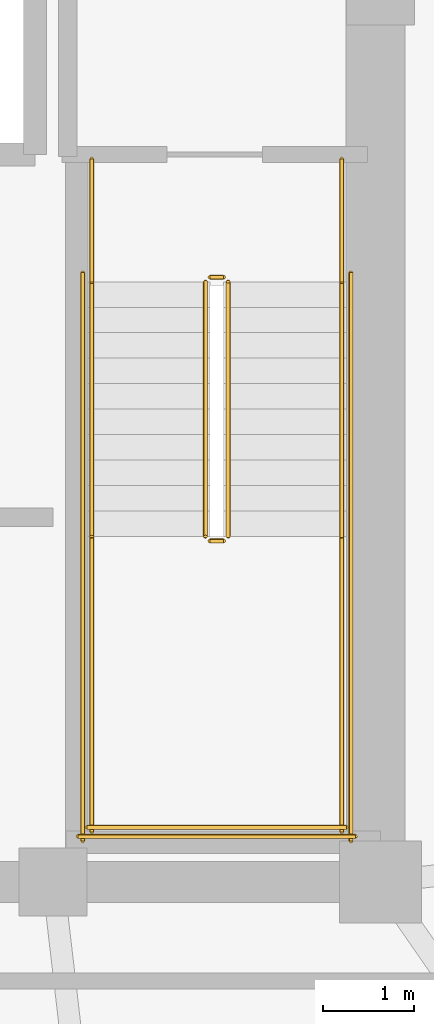
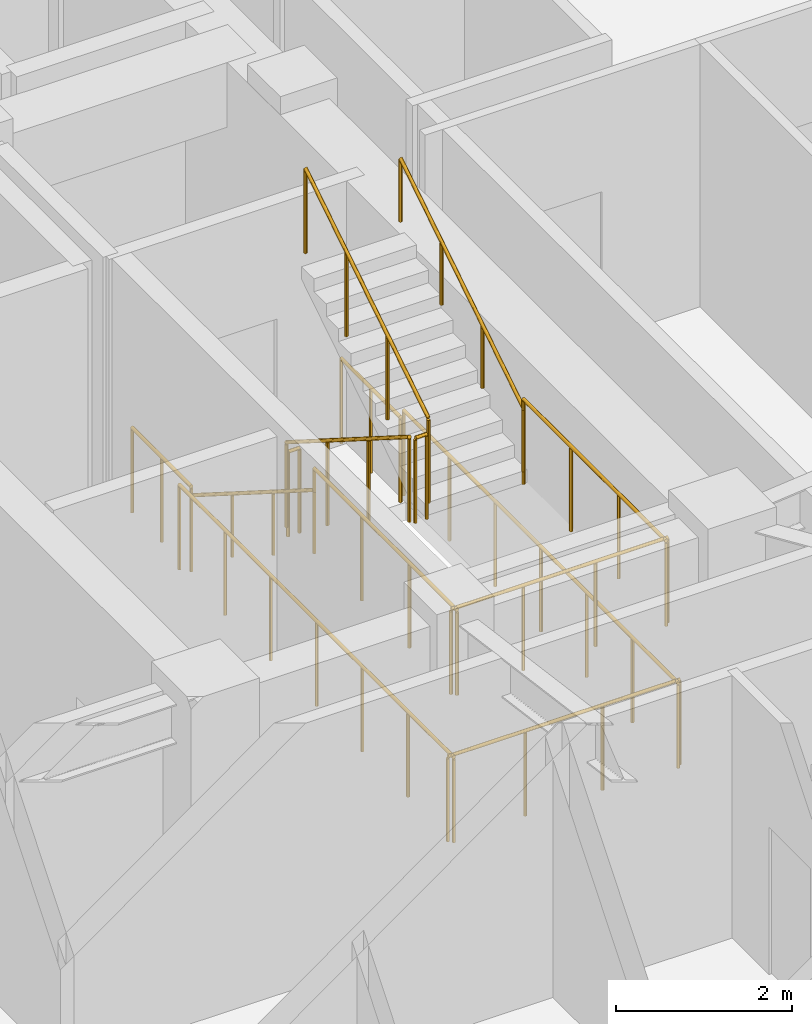
# One storey, part 11 of 11: 14 railings.
"""IFC4 building model written with IfcOpenShell, lengths in metres."""

import ifcopenshell
import ifcopenshell.guid

model = None  # the IFC model being written
_history = None  # IfcOwnerHistory: only IFC2X3 demands one
_inside = {}  # id of a spatial element -> (the spatial element, [elements in it])
_under = {}  # id of a project, library or spatial element -> (it, [spatial elements below it])
_declared = {}  # id of a project -> (the project, [libraries it declares])
_typed = {}  # id of a type object -> (the type object, [elements of that type])
_made_of = {}  # id of a material, layer set ... -> (it, [elements and type objects made of it])


def new_model(schema):
    """Start an empty IFC model of exactly this schema.

    Asked for "IFC4X3", IfcOpenShell would pick the latest addendum, in which some entities
    have other attributes; the version numbers below select the first issue.
    IFC2X3 requires an IfcOwnerHistory on every rooted entity: one is made here for all.
    """
    global model, _history
    if schema == "IFC4X3":
        model = ifcopenshell.file(schema_version=(4, 3, 0, 0))
    else:
        model = ifcopenshell.file(schema=schema)
    _inside.clear()
    _under.clear()
    _declared.clear()
    _typed.clear()
    _made_of.clear()
    _history = None
    if model.schema == "IFC2X3":
        org = make("IfcOrganization", Name="unknown")
        user = make(
            "IfcPersonAndOrganization",
            ThePerson=make("IfcPerson", FamilyName="unknown"),
            TheOrganization=org,
        )
        app = make(
            "IfcApplication",
            ApplicationDeveloper=org,
            Version="unknown",
            ApplicationFullName="unknown",
            ApplicationIdentifier="unknown",
        )
        _history = make(
            "IfcOwnerHistory",
            OwningUser=user,
            OwningApplication=app,
            ChangeAction="ADDED",
            CreationDate=0,
        )
    return model


def make(cls, **values):
    """One entity of the class cls with the attributes given. An attribute that is None is left unset."""
    return model.create_entity(
        cls, **{name: value for name, value in values.items() if value is not None}
    )


def rooted(cls, **values):
    """An entity with a GlobalId (a new one), such as an element, a storey or a relation."""
    return make(cls, GlobalId=ifcopenshell.guid.new(), OwnerHistory=_history, **values)


def si_unit(unit_type, name, prefix=None):
    """IfcSIUnit, for example si_unit("LENGTHUNIT", "METRE", prefix="MILLI")."""
    return make("IfcSIUnit", UnitType=unit_type, Prefix=prefix, Name=name)


def assignment(units):
    """IfcUnitAssignment: the units of a project."""
    return None if units is None else make("IfcUnitAssignment", Units=units)


def point(xyz):
    """IfcCartesianPoint."""
    return None if xyz is None else make("IfcCartesianPoint", Coordinates=xyz)


def direction(xyz):
    """IfcDirection."""
    return None if xyz is None else make("IfcDirection", DirectionRatios=xyz)


def frame(location, z_axis=None, x_axis=None):
    """IfcAxis2Placement3D, a coordinate frame: its origin and axes. An axis left out is left unset."""
    return make(
        "IfcAxis2Placement3D",
        Location=point(location),
        Axis=direction(z_axis),
        RefDirection=direction(x_axis),
    )


def frame_2d(location, x_axis=None):
    """IfcAxis2Placement2D, a coordinate frame in the plane: its origin and x axis."""
    return make(
        "IfcAxis2Placement2D", Location=point(location), RefDirection=direction(x_axis)
    )


def origin():
    """The frame at (0, 0, 0) with its axes left unset."""
    return frame((0.0, 0.0, 0.0))


def origin_2d():
    """The frame at (0, 0) in the plane with its x axis left unset."""
    return frame_2d((0.0, 0.0))


def place(relative_to, where):
    """IfcLocalPlacement: puts the frame where relative to a parent placement (None: the world)."""
    return make(
        "IfcLocalPlacement", PlacementRelTo=relative_to, RelativePlacement=where
    )


def context(
    kind, dimensions, precision=None, world=None, true_north=None, identifier=None
):
    """IfcGeometricRepresentationContext, for example the 3D "Model" context."""
    return make(
        "IfcGeometricRepresentationContext",
        ContextIdentifier=identifier,
        ContextType=kind,
        CoordinateSpaceDimension=dimensions,
        Precision=precision,
        WorldCoordinateSystem=world,
        TrueNorth=true_north,
    )


def subcontext(parent, identifier, kind, view, scale=None):
    """IfcGeometricRepresentationSubContext, for example "Body" below "Model"."""
    return make(
        "IfcGeometricRepresentationSubContext",
        ContextIdentifier=identifier,
        ContextType=kind,
        ParentContext=parent,
        TargetScale=scale,
        TargetView=view,
    )


def project(units=None, contexts=None):
    """IfcProject with its units and contexts."""
    return rooted(
        "IfcProject",
        Name="project",
        RepresentationContexts=contexts,
        UnitsInContext=assignment(units),
    )


def spatial(cls, under=None, at=None, **own):
    """A site, building, storey or space (cls), placed at a placement, below another one or the project."""
    s = rooted(cls, ObjectPlacement=at, **own)
    if under is not None:
        _under.setdefault(under.id(), (under, []))[1].append(s)
    return s


def profile(cls, at=None, kind="AREA", **sizes):
    """A parametric profile (cls). Its sizes go by their IFC names, for example OverallWidth=200.0."""
    return make(cls, ProfileType=kind, Position=at, **sizes)


def circle(**sizes):
    """IfcCircleProfileDef."""
    return profile("IfcCircleProfileDef", **sizes)


def extrude(swept, where, along, depth):
    """IfcExtrudedAreaSolid: the profile swept, set in the frame where, extruded along a direction by depth."""
    return make(
        "IfcExtrudedAreaSolid",
        SweptArea=swept,
        Position=where,
        ExtrudedDirection=direction(along),
        Depth=depth,
    )


def shape(context_of_items, identifier, shape_type, items):
    """IfcShapeRepresentation: the items that make up one representation, for example the "Body"."""
    return make(
        "IfcShapeRepresentation",
        ContextOfItems=context_of_items,
        RepresentationIdentifier=identifier,
        RepresentationType=shape_type,
        Items=items,
    )


def material(Name=None, Category=None):
    """IfcMaterial."""
    return make("IfcMaterial", Name=Name, Category=Category)


def made_of(thing, what):
    """Note that an element or type object is made of a material, layer set ...; save() writes the relation."""
    if what is not None:
        _made_of.setdefault(what.id(), (what, []))[1].append(thing)
    return thing


def type_object(cls, material=None, **own):
    """A type object (cls), such as IfcWallType, which elements share."""
    return made_of(rooted(cls, **own), material)


def element(
    cls,
    number,
    at=None,
    inside=None,
    cuts=None,
    type_object=None,
    material=None,
    context=None,
    identifier="Body",
    shape_type=None,
    held_by="IfcProductDefinitionShape",
    body=None,
    shapes=None,
    **own,
):
    """One element of the class cls, such as IfcWall. Its Tag is "e" and its number.

    at: its placement. inside: the storey or other place that contains it. cuts: it is an
    opening in that element (IfcRelVoidsElement). A single representation is given by context,
    identifier, shape_type and body (its items); several are given by shapes. held_by: the class
    of the entity that holds the representations. save() writes the other relations.
    """
    e = rooted(cls, Tag="e%d" % number, ObjectPlacement=at, **own)
    if body is not None:
        shapes = [shape(context, identifier, shape_type, body)]
    if shapes is not None:
        e.Representation = make(held_by, Representations=shapes)
    if inside is not None:
        _inside.setdefault(inside.id(), (inside, []))[1].append(e)
    if cuts is not None:
        rooted(
            "IfcRelVoidsElement", RelatingBuildingElement=cuts, RelatedOpeningElement=e
        )
    if type_object is not None:
        _typed.setdefault(type_object.id(), (type_object, []))[1].append(e)
    return made_of(e, material)


def aggregate(whole, parts):
    """IfcRelAggregates: a whole, such as a stair, and the parts it consists of."""
    return rooted("IfcRelAggregates", RelatingObject=whole, RelatedObjects=parts)


def save(model, path):
    """Write the relations noted so far, then the file.

    IfcRelAggregates (storeys below a building ...), IfcRelContainedInSpatialStructure (elements
    in a storey), IfcRelDefinesByType, IfcRelAssociatesMaterial and IfcRelDeclares: one each for
    every whole, place, type object, material and project.
    """
    for whole, parts in _under.values():
        aggregate(whole, parts)
    for where, things in _inside.values():
        rooted(
            "IfcRelContainedInSpatialStructure",
            RelatedElements=things,
            RelatingStructure=where,
        )
    for kind, things in _typed.values():
        rooted("IfcRelDefinesByType", RelatedObjects=things, RelatingType=kind)
    for what, things in _made_of.values():
        rooted("IfcRelAssociatesMaterial", RelatedObjects=things, RelatingMaterial=what)
    for by, libraries in _declared.values():
        rooted("IfcRelDeclares", RelatingContext=by, RelatedDefinitions=libraries)
    model.write(path)


model = new_model("IFC4")

# Units and contexts
model_context = context("Model", 3, precision=1e-05, world=origin(), true_north=direction((0.0, 1.0)))
body_context = subcontext(model_context, "Body", "Model", "MODEL_VIEW")
ifc_project = project(units=[si_unit("LENGTHUNIT", "METRE"), si_unit("AREAUNIT", "SQUARE_METRE"), si_unit("VOLUMEUNIT", "CUBIC_METRE"), si_unit("PLANEANGLEUNIT", "RADIAN"), si_unit("MASSUNIT", "GRAM", prefix="KILO")], contexts=[model_context])

# Site, building, storey
site_placement = place(None, origin())
site = spatial("IfcSite", under=ifc_project, at=site_placement, CompositionType="ELEMENT")
building_placement = place(site_placement, origin())
building = spatial("IfcBuilding", under=site, at=building_placement, Name="Voryun Gate Residences", CompositionType="ELEMENT")
storey_placement = place(building_placement, frame((0.0, 0.0, 235.300048828125)))
storey = spatial("IfcBuildingStorey", under=building, at=storey_placement, Name="L58", CompositionType="ELEMENT", Elevation=235.300048828125)

# Railings
ifc_material_1 = material(Name="Painted steel", Category="steel")
railing_type_1 = type_object("IfcRailingType", Name="RAIL_STAIR_GUARD_1200", PredefinedType="GUARDRAIL", material=ifc_material_1)
railing_1_placement = place(storey_placement, frame((17.27490234375, -0.800048828125, 0.17724609375)))
element("IfcRailing", 1, at=railing_1_placement, inside=storey, type_object=railing_type_1, Name="L58 ST-E1 stair guard 1", PredefinedType="GUARDRAIL", context=body_context, shape_type="SweptSolid", body=[
    extrude(circle(Radius=0.02392578125, at=origin_2d()), frame((0.0, 0.0, 1.17578125), z_axis=(0.0, -0.844908973607, 0.534910110503), x_axis=(1.0, 0.0, 0.0)), (0.0, 0.0, 1.0), 3.31396484375),
    extrude(circle(Radius=0.02099609375, at=origin_2d()), origin(), (0.0, 0.0, 1.0), 1.15185546875),
    extrude(circle(Radius=0.02099609375, at=origin_2d()), frame((0.0, -0.933349609375, 0.5908203125)), (0.0, 0.0, 1.0), 1.15185546875),
    extrude(circle(Radius=0.02099609375, at=origin_2d()), frame((0.0, -1.86669921875, 1.181884765625)), (0.0, 0.0, 1.0), 1.15185546875),
    extrude(circle(Radius=0.02099609375, at=origin_2d()), frame((0.0, -2.800048828125, 1.772705078125)), (0.0, 0.0, 1.0), 1.15185546875),
])
railing_2_placement = place(storey_placement, frame((17.324951171875, -3.64990234375, 1.949951171875)))
element("IfcRailing", 2, at=railing_2_placement, inside=storey, type_object=railing_type_1, Name="L58 ST-E1 stair guard 2", PredefinedType="GUARDRAIL", context=body_context, shape_type="SweptSolid", body=[
    extrude(circle(Radius=0.02392578125, at=origin_2d()), frame((0.0, 0.0, 1.17578125), z_axis=(1.0, 0.0, 0.0), x_axis=(0.0, 1.0, 0.0)), (0.0, 0.0, 1.0), 0.150146484375),
    extrude(circle(Radius=0.02099609375, at=origin_2d()), origin(), (0.0, 0.0, 1.0), 1.15185546875),
    extrude(circle(Radius=0.02099609375, at=origin_2d()), frame((0.150146484375, 0.0, 0.0)), (0.0, 0.0, 1.0), 1.15185546875),
])
for number, where, name in (
    (3, (16.02490234375, -3.60009765625, 1.949951171875), "L58 ST-E1 stair guard 3"),
    (4, (18.77490234375, -3.60009765625, 1.949951171875), "L58 ST-E1 stair guard 4"),
):
    element("IfcRailing", number, at=place(storey_placement, frame(where)), inside=storey, type_object=railing_type_1, Name=name, PredefinedType="GUARDRAIL", context=body_context, shape_type="SweptSolid", body=[
        extrude(circle(Radius=0.02392578125, at=origin_2d()), frame((0.0, 0.0, 1.17578125), z_axis=(0.0, -1.0, 0.0), x_axis=(1.0, 0.0, 0.0)), (0.0, 0.0, 1.0), 3.25),
        extrude(circle(Radius=0.02099609375, at=origin_2d()), origin(), (0.0, 0.0, 1.0), 1.15185546875),
        extrude(circle(Radius=0.02099609375, at=origin_2d()), frame((0.0, -1.083251953125, 0.0)), (0.0, 0.0, 1.0), 1.15185546875),
        extrude(circle(Radius=0.02099609375, at=origin_2d()), frame((0.0, -2.166748046875, 0.0)), (0.0, 0.0, 1.0), 1.15185546875),
        extrude(circle(Radius=0.02099609375, at=origin_2d()), frame((0.0, -3.25, 0.0)), (0.0, 0.0, 1.0), 1.15185546875),
    ])
railing_3_placement = place(storey_placement, frame((15.97509765625, -6.800048828125, 1.949951171875)))
element("IfcRailing", 5, at=railing_3_placement, inside=storey, type_object=railing_type_1, Name="L58 ST-E1 stair guard 5", PredefinedType="GUARDRAIL", context=body_context, shape_type="SweptSolid", body=[
    extrude(circle(Radius=0.02392578125, at=origin_2d()), frame((0.0, 0.0, 1.17578125), z_axis=(1.0, 0.0, 0.0), x_axis=(0.0, 1.0, 0.0)), (0.0, 0.0, 1.0), 2.849853515625),
    extrude(circle(Radius=0.02099609375, at=origin_2d()), origin(), (0.0, 0.0, 1.0), 1.15185546875),
    extrude(circle(Radius=0.02099609375, at=origin_2d()), frame((0.949951171875, 0.0, 0.0)), (0.0, 0.0, 1.0), 1.15185546875),
    extrude(circle(Radius=0.02099609375, at=origin_2d()), frame((1.89990234375, 0.0, 0.0)), (0.0, 0.0, 1.0), 1.15185546875),
    extrude(circle(Radius=0.02099609375, at=origin_2d()), frame((2.849853515625, 0.0, 0.0)), (0.0, 0.0, 1.0), 1.15185546875),
])
railing_4_placement = place(storey_placement, frame((17.52490234375, -3.60009765625, 2.127197265625)))
element("IfcRailing", 6, at=railing_4_placement, inside=storey, type_object=railing_type_1, Name="L58 ST-E1 stair guard 6", PredefinedType="GUARDRAIL", context=body_context, shape_type="SweptSolid", body=[
    extrude(circle(Radius=0.02392578125, at=origin_2d()), frame((0.0, 0.0, 1.17578125), z_axis=(0.0, 0.844908973607, 0.534910110503), x_axis=(-1.0, 0.0, 0.0)), (0.0, 0.0, 1.0), 3.31396484375),
    extrude(circle(Radius=0.02099609375, at=origin_2d()), origin(), (0.0, 0.0, 1.0), 1.15185546875),
    extrude(circle(Radius=0.02099609375, at=origin_2d()), frame((0.0, 0.933349609375, 0.5908203125)), (0.0, 0.0, 1.0), 1.15185546875),
    extrude(circle(Radius=0.02099609375, at=origin_2d()), frame((0.0, 1.86669921875, 1.181884765625)), (0.0, 0.0, 1.0), 1.15185546875),
    extrude(circle(Radius=0.02099609375, at=origin_2d()), frame((0.0, 2.800048828125, 1.772705078125)), (0.0, 0.0, 1.0), 1.15185546875),
])
railing_5_placement = place(storey_placement, frame((17.324951171875, -0.75, 0.0)))
element("IfcRailing", 7, at=railing_5_placement, inside=storey, type_object=railing_type_1, Name="L58 ST-E1 stair guard 7", PredefinedType="GUARDRAIL", context=body_context, shape_type="SweptSolid", body=[
    extrude(circle(Radius=0.02392578125, at=origin_2d()), frame((0.0, 0.0, 1.17578125), z_axis=(1.0, 0.0, 0.0), x_axis=(0.0, 1.0, 0.0)), (0.0, 0.0, 1.0), 0.150146484375),
    extrude(circle(Radius=0.02099609375, at=origin_2d()), origin(), (0.0, 0.0, 1.0), 1.15185546875),
    extrude(circle(Radius=0.02099609375, at=origin_2d()), frame((0.150146484375, 0.0, 0.0)), (0.0, 0.0, 1.0), 1.15185546875),
])
for number, where, name in (
    (8, (16.02490234375, 0.550048828125, 0.0), "L58 ST-E1 stair guard 8"),
    (9, (18.77490234375, 0.550048828125, 0.0), "L58 ST-E1 stair guard 9"),
):
    element("IfcRailing", number, at=place(storey_placement, frame(where)), inside=storey, type_object=railing_type_1, Name=name, PredefinedType="GUARDRAIL", context=body_context, shape_type="SweptSolid", body=[
        extrude(circle(Radius=0.02392578125, at=origin_2d()), frame((0.0, 0.0, 1.17578125), z_axis=(0.0, -1.0, 0.0), x_axis=(1.0, 0.0, 0.0)), (0.0, 0.0, 1.0), 1.35009765625),
        extrude(circle(Radius=0.02099609375, at=origin_2d()), origin(), (0.0, 0.0, 1.0), 1.15185546875),
        extrude(circle(Radius=0.02099609375, at=origin_2d()), frame((0.0, -0.675048828125, 0.0)), (0.0, 0.0, 1.0), 1.15185546875),
        extrude(circle(Radius=0.02099609375, at=origin_2d()), frame((0.0, -1.35009765625, 0.0)), (0.0, 0.0, 1.0), 1.15185546875),
    ])
for number, where, name in (
    (10, (15.925048828125, -0.699951171875, 0.0), "L58 ST-E1 stair guard 10"),
    (11, (18.875, -0.699951171875, 0.0), "L58 ST-E1 stair guard 11"),
):
    element("IfcRailing", number, at=place(storey_placement, frame(where)), inside=storey, type_object=railing_type_1, Name=name, PredefinedType="GUARDRAIL", context=body_context, shape_type="SweptSolid", body=[
        extrude(circle(Radius=0.02392578125, at=origin_2d()), frame((0.0, 0.0, 1.17578125), z_axis=(0.0, -1.0, 0.0), x_axis=(1.0, 0.0, 0.0)), (0.0, 0.0, 1.0), 6.25),
        extrude(circle(Radius=0.02099609375, at=origin_2d()), origin(), (0.0, 0.0, 1.0), 1.15185546875),
        extrude(circle(Radius=0.02099609375, at=origin_2d()), frame((0.0, -1.041748046875, 0.0)), (0.0, 0.0, 1.0), 1.15185546875),
        extrude(circle(Radius=0.02099609375, at=origin_2d()), frame((0.0, -2.083251953125, 0.0)), (0.0, 0.0, 1.0), 1.15185546875),
        extrude(circle(Radius=0.02099609375, at=origin_2d()), frame((0.0, -3.125, 0.0)), (0.0, 0.0, 1.0), 1.15185546875),
        extrude(circle(Radius=0.02099609375, at=origin_2d()), frame((0.0, -4.166748046875, 0.0)), (0.0, 0.0, 1.0), 1.15185546875),
        extrude(circle(Radius=0.02099609375, at=origin_2d()), frame((0.0, -5.208251953125, 0.0)), (0.0, 0.0, 1.0), 1.15185546875),
        extrude(circle(Radius=0.02099609375, at=origin_2d()), frame((0.0, -6.25, 0.0)), (0.0, 0.0, 1.0), 1.15185546875),
    ])
railing_6_placement = place(storey_placement, frame((15.875, -6.89990234375, 0.0)))
element("IfcRailing", 12, at=railing_6_placement, inside=storey, type_object=railing_type_1, Name="L58 ST-E1 stair guard 12", PredefinedType="GUARDRAIL", context=body_context, shape_type="SweptSolid", body=[
    extrude(circle(Radius=0.02392578125, at=origin_2d()), frame((0.0, 0.0, 1.17578125), z_axis=(1.0, 0.0, 0.0), x_axis=(0.0, 1.0, 0.0)), (0.0, 0.0, 1.0), 3.050048828125),
    extrude(circle(Radius=0.02099609375, at=origin_2d()), origin(), (0.0, 0.0, 1.0), 1.15185546875),
    extrude(circle(Radius=0.02099609375, at=origin_2d()), frame((1.0166015625, 0.0, 0.0)), (0.0, 0.0, 1.0), 1.15185546875),
    extrude(circle(Radius=0.02099609375, at=origin_2d()), frame((2.033447265625, 0.0, 0.0)), (0.0, 0.0, 1.0), 1.15185546875),
    extrude(circle(Radius=0.02099609375, at=origin_2d()), frame((3.050048828125, 0.0, 0.0)), (0.0, 0.0, 1.0), 1.15185546875),
])
ifc_material_2 = material(Name="Painted steel", Category="steel")
railing_type_2 = type_object("IfcRailingType", Name="RAIL_STAIR_HANDRAIL_900", PredefinedType="HANDRAIL", material=ifc_material_2)
railing_7_placement = place(storey_placement, frame((16.02490234375, -0.800048828125, 0.17724609375)))
element("IfcRailing", 13, at=railing_7_placement, inside=storey, type_object=railing_type_2, Name="L58 ST-E1 stair handrail 1", PredefinedType="HANDRAIL", context=body_context, shape_type="SweptSolid", body=[
    extrude(circle(Radius=0.02392578125, at=origin_2d()), frame((0.0, 0.0, 0.8759765625), z_axis=(0.0, -0.844908973607, 0.534910110503), x_axis=(1.0, 0.0, 0.0)), (0.0, 0.0, 1.0), 3.31396484375),
    extrude(circle(Radius=0.02099609375, at=origin_2d()), origin(), (0.0, 0.0, 1.0), 0.851806640625),
    extrude(circle(Radius=0.02099609375, at=origin_2d()), frame((0.0, -0.933349609375, 0.5908203125)), (0.0, 0.0, 1.0), 0.851806640625),
    extrude(circle(Radius=0.02099609375, at=origin_2d()), frame((0.0, -1.86669921875, 1.181884765625)), (0.0, 0.0, 1.0), 0.851806640625),
    extrude(circle(Radius=0.02099609375, at=origin_2d()), frame((0.0, -2.800048828125, 1.772705078125)), (0.0, 0.0, 1.0), 0.851806640625),
])
railing_8_placement = place(storey_placement, frame((18.77490234375, -3.60009765625, 2.127197265625)))
element("IfcRailing", 14, at=railing_8_placement, inside=storey, type_object=railing_type_2, Name="L58 ST-E1 stair handrail 2", PredefinedType="HANDRAIL", context=body_context, shape_type="SweptSolid", body=[
    extrude(circle(Radius=0.02392578125, at=origin_2d()), frame((0.0, 0.0, 0.8759765625), z_axis=(0.0, 0.844908973607, 0.534910110503), x_axis=(-1.0, 0.0, 0.0)), (0.0, 0.0, 1.0), 3.31396484375),
    extrude(circle(Radius=0.02099609375, at=origin_2d()), origin(), (0.0, 0.0, 1.0), 0.851806640625),
    extrude(circle(Radius=0.02099609375, at=origin_2d()), frame((0.0, 0.933349609375, 0.5908203125)), (0.0, 0.0, 1.0), 0.851806640625),
    extrude(circle(Radius=0.02099609375, at=origin_2d()), frame((0.0, 1.86669921875, 1.181884765625)), (0.0, 0.0, 1.0), 0.851806640625),
    extrude(circle(Radius=0.02099609375, at=origin_2d()), frame((0.0, 2.800048828125, 1.772705078125)), (0.0, 0.0, 1.0), 0.851806640625),
])

save(model, "model.ifc")
